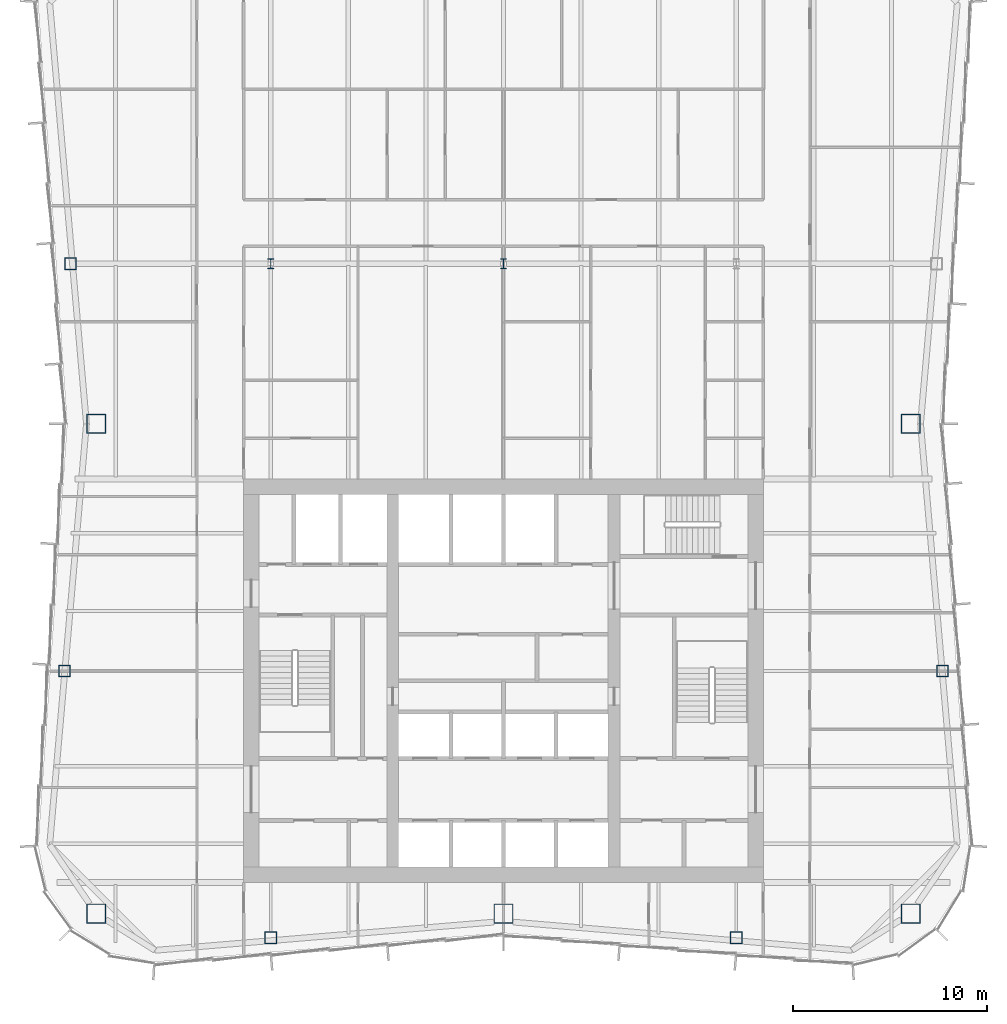
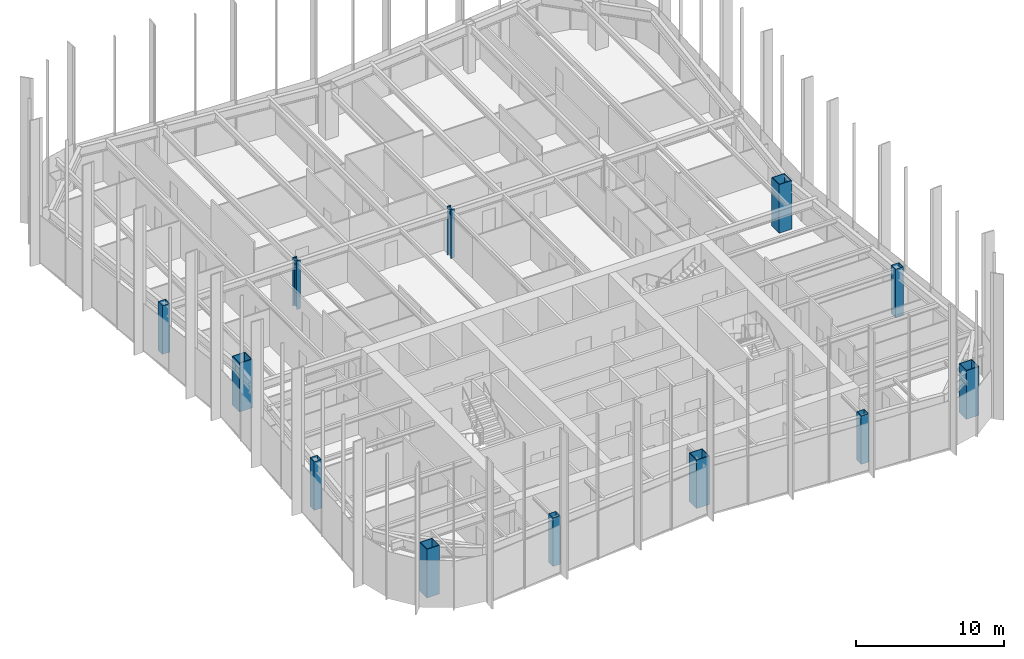
# One storey, part 1 of 15: 12 columns.
"""IFC4 building model written with IfcOpenShell, lengths in metres."""

from ifc_helpers import new_model, si_unit, direction, frame, origin, origin_2d, place, context, subcontext, project, spatial, hollow_rectangle, i_section, extrude, material, material_profile, profile_set, type_object, element, save


model = new_model("IFC4")

# Units and contexts
model_context = context("Model", 3, precision=1e-05, world=origin(), true_north=direction((0.0, 1.0)))
body_context = subcontext(model_context, "Body", "Model", "MODEL_VIEW")
ifc_project = project(units=[si_unit("LENGTHUNIT", "METRE"), si_unit("AREAUNIT", "SQUARE_METRE"), si_unit("VOLUMEUNIT", "CUBIC_METRE"), si_unit("PLANEANGLEUNIT", "RADIAN"), si_unit("MASSUNIT", "GRAM", prefix="KILO")], contexts=[model_context])

# Site, building, storey
site_placement = place(None, origin())
site = spatial("IfcSite", under=ifc_project, at=site_placement, CompositionType="ELEMENT")
building_placement = place(site_placement, origin())
building = spatial("IfcBuilding", under=site, at=building_placement, Name="Verdant Reach Tower", CompositionType="ELEMENT")
storey_placement = place(building_placement, frame((0.0, 0.0, 262.0)))
storey = spatial("IfcBuildingStorey", under=building, at=storey_placement, Name="L60", CompositionType="ELEMENT", Elevation=262.0)

# Columns
ifc_material = material(Name="Steel S460", Category="steel")
ifc_material_profile_1 = material_profile(ifc_material, i_section(OverallWidth=0.305908203125, OverallDepth=0.52392578125, WebThickness=0.012451171875, FlangeThickness=0.0400390625, FilletRadius=0.027099609375, at=origin_2d()), Name="HEM 500")
ifc_profile_set_1 = profile_set([ifc_material_profile_1], Name="Steel S460")
column_type_1 = type_object("IfcColumnType", Name="ST-COL-HEM500", PredefinedType="COLUMN", material=ifc_profile_set_1)
for number, where, z_axis, x_axis, name in (
    (1, (-12.0, 49.5, 0.0), (0.0, 0.0, 1.0), (1.0, 0.0, 0.0), "Interior column 1, L60"),
    (2, (0.0, 49.5, 0.0), (0.0, 0.0, 1.0), (1.0, 0.0, 0.0), "Interior column 2, L60"),
):
    element("IfcColumn", number, at=place(storey_placement, frame(where, z_axis=z_axis, x_axis=x_axis)), inside=storey, type_object=column_type_1, Name=name, PredefinedType="COLUMN", context=body_context, shape_type="SweptSolid", body=[
        extrude(i_section(OverallWidth=0.305908203125, OverallDepth=0.52392578125, WebThickness=0.012451171875, FlangeThickness=0.0400390625, FilletRadius=0.027099609375, at=origin_2d()), origin(), (0.0, 0.0, 1.0), 4.0),
    ])
ifc_material_profile_2 = material_profile(ifc_material, hollow_rectangle(XDim=1.0, YDim=1.0, WallThickness=0.044921875, at=origin_2d()), Name="WB 1000x1000x45")
ifc_profile_set_2 = profile_set([ifc_material_profile_2], Name="Steel S460")
column_type_2 = type_object("IfcColumnType", Name="ST-COL-WB1000x1000x45", PredefinedType="COLUMN", material=ifc_profile_set_2)
for number, where, z_axis, x_axis, name in (
    (3, (21.0, 41.25, 0.0), (0.0, 0.0, 1.0), (1.0, 0.0, 0.0), "Mega column east, L60"),
    (4, (21.0, 16.0, 0.0), (0.0, 0.0, 1.0), (1.0, 0.0, 0.0), "Mega column south-east, L60"),
    (5, (0.0, 16.0, 0.0), (0.0, 0.0, 1.0), (1.0, 0.0, 0.0), "Mega column south, L60"),
    (6, (-21.0, 16.0, 0.0), (0.0, 0.0, 1.0), (1.0, 0.0, 0.0), "Mega column south-west, L60"),
    (7, (-21.0, 41.25, 0.0), (0.0, 0.0, 1.0), (1.0, 0.0, 0.0), "Mega column west, L60"),
):
    element("IfcColumn", number, at=place(storey_placement, frame(where, z_axis=z_axis, x_axis=x_axis)), inside=storey, type_object=column_type_2, Name=name, PredefinedType="COLUMN", context=body_context, shape_type="SweptSolid", body=[
        extrude(hollow_rectangle(XDim=1.0, YDim=1.0, WallThickness=0.044921875, at=origin_2d()), origin(), (0.0, 0.0, 1.0), 4.0),
    ])
ifc_material_profile_3 = material_profile(ifc_material, hollow_rectangle(XDim=0.60009765625, YDim=0.60009765625, WallThickness=0.02490234375, at=origin_2d()), Name="WB 600x600x25")
ifc_profile_set_3 = profile_set([ifc_material_profile_3], Name="Steel S460")
column_type_3 = type_object("IfcColumnType", Name="ST-COL-WB600x600x25", PredefinedType="COLUMN", material=ifc_profile_set_3)
for number, where, z_axis, x_axis, name in (
    (8, (-12.0, 14.75, 0.0), (0.0, 0.0, 1.0), (1.0, 0.0, 0.0), "Perimeter column south 1, L60"),
    (9, (12.0, 14.75, 0.0), (0.0, 0.0, 1.0), (1.0, 0.0, 0.0), "Perimeter column south 2, L60"),
    (10, (22.62939453125, 28.5, 0.0), (0.0, 0.0, 1.0), (1.0, 0.0, 0.0), "Perimeter column east 1, L60"),
    (11, (-22.62939453125, 28.5, 0.0), (0.0, 0.0, 1.0), (1.0, 0.0, 0.0), "Perimeter column west 1, L60"),
    (12, (-22.319091796875, 49.5, 0.0), (0.0, 0.0, 1.0), (1.0, 0.0, 0.0), "Perimeter column west 2, L60"),
):
    element("IfcColumn", number, at=place(storey_placement, frame(where, z_axis=z_axis, x_axis=x_axis)), inside=storey, type_object=column_type_3, Name=name, PredefinedType="COLUMN", context=body_context, shape_type="SweptSolid", body=[
        extrude(hollow_rectangle(XDim=0.60009765625, YDim=0.60009765625, WallThickness=0.02490234375, at=origin_2d()), origin(), (0.0, 0.0, 1.0), 4.0),
    ])

save(model, "model.ifc")
